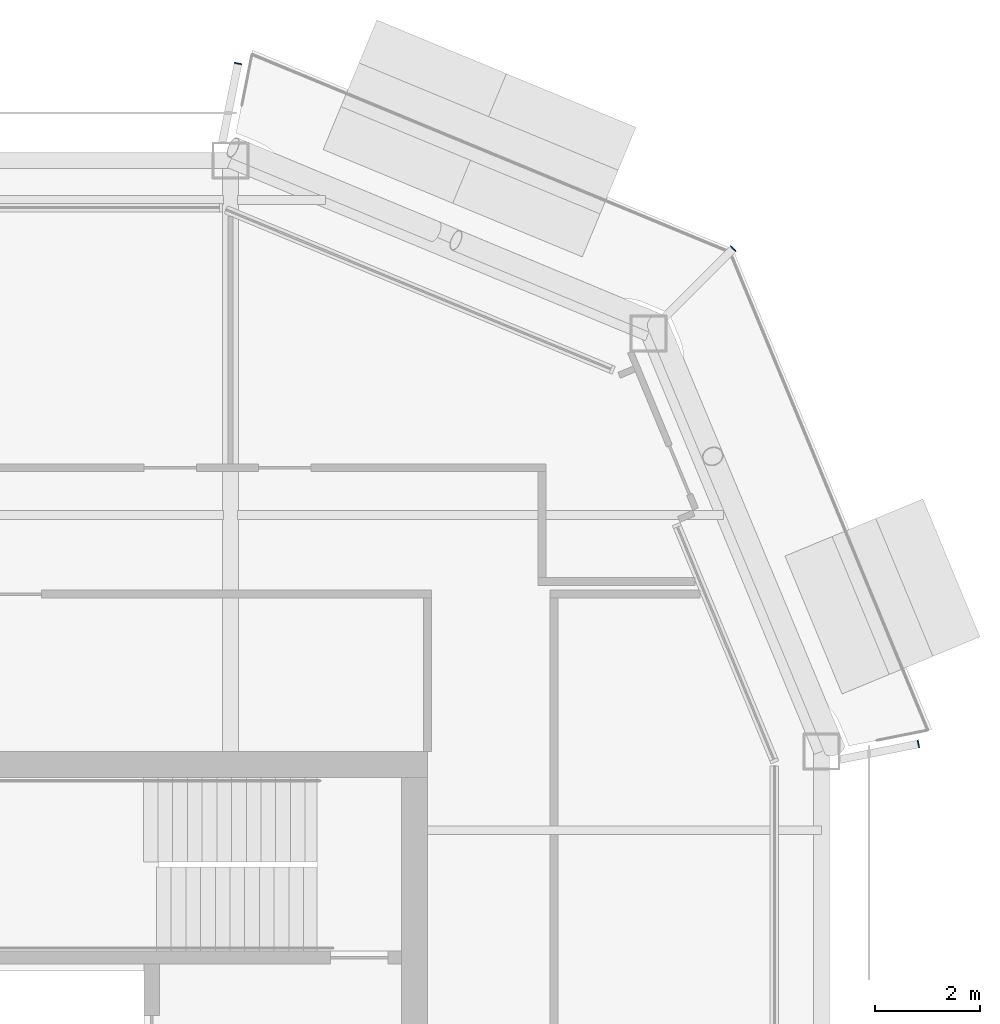
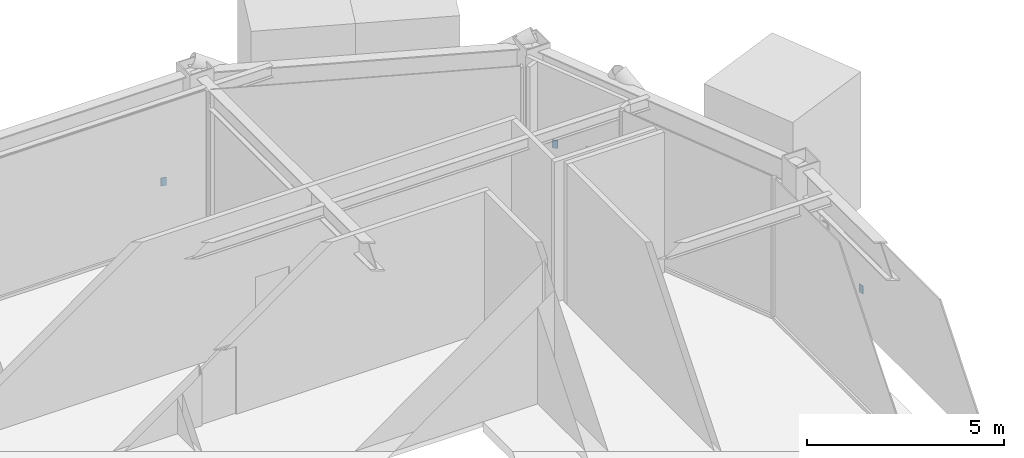
# One storey, part 16 of 21: 3 discrete accessories.
"""IFC4 building model written with IfcOpenShell, lengths in metres."""

import ifcopenshell
import ifcopenshell.guid

model = None  # the IFC model being written
_history = None  # IfcOwnerHistory: only IFC2X3 demands one
_inside = {}  # id of a spatial element -> (the spatial element, [elements in it])
_under = {}  # id of a project, library or spatial element -> (it, [spatial elements below it])
_declared = {}  # id of a project -> (the project, [libraries it declares])
_typed = {}  # id of a type object -> (the type object, [elements of that type])
_made_of = {}  # id of a material, layer set ... -> (it, [elements and type objects made of it])


def new_model(schema):
    """Start an empty IFC model of exactly this schema.

    Asked for "IFC4X3", IfcOpenShell would pick the latest addendum, in which some entities
    have other attributes; the version numbers below select the first issue.
    IFC2X3 requires an IfcOwnerHistory on every rooted entity: one is made here for all.
    """
    global model, _history
    if schema == "IFC4X3":
        model = ifcopenshell.file(schema_version=(4, 3, 0, 0))
    else:
        model = ifcopenshell.file(schema=schema)
    _inside.clear()
    _under.clear()
    _declared.clear()
    _typed.clear()
    _made_of.clear()
    _history = None
    if model.schema == "IFC2X3":
        org = make("IfcOrganization", Name="unknown")
        user = make(
            "IfcPersonAndOrganization",
            ThePerson=make("IfcPerson", FamilyName="unknown"),
            TheOrganization=org,
        )
        app = make(
            "IfcApplication",
            ApplicationDeveloper=org,
            Version="unknown",
            ApplicationFullName="unknown",
            ApplicationIdentifier="unknown",
        )
        _history = make(
            "IfcOwnerHistory",
            OwningUser=user,
            OwningApplication=app,
            ChangeAction="ADDED",
            CreationDate=0,
        )
    return model


def make(cls, **values):
    """One entity of the class cls with the attributes given. An attribute that is None is left unset."""
    return model.create_entity(
        cls, **{name: value for name, value in values.items() if value is not None}
    )


def rooted(cls, **values):
    """An entity with a GlobalId (a new one), such as an element, a storey or a relation."""
    return make(cls, GlobalId=ifcopenshell.guid.new(), OwnerHistory=_history, **values)


def si_unit(unit_type, name, prefix=None):
    """IfcSIUnit, for example si_unit("LENGTHUNIT", "METRE", prefix="MILLI")."""
    return make("IfcSIUnit", UnitType=unit_type, Prefix=prefix, Name=name)


def assignment(units):
    """IfcUnitAssignment: the units of a project."""
    return None if units is None else make("IfcUnitAssignment", Units=units)


def point(xyz):
    """IfcCartesianPoint."""
    return None if xyz is None else make("IfcCartesianPoint", Coordinates=xyz)


def direction(xyz):
    """IfcDirection."""
    return None if xyz is None else make("IfcDirection", DirectionRatios=xyz)


def frame(location, z_axis=None, x_axis=None):
    """IfcAxis2Placement3D, a coordinate frame: its origin and axes. An axis left out is left unset."""
    return make(
        "IfcAxis2Placement3D",
        Location=point(location),
        Axis=direction(z_axis),
        RefDirection=direction(x_axis),
    )


def frame_2d(location, x_axis=None):
    """IfcAxis2Placement2D, a coordinate frame in the plane: its origin and x axis."""
    return make(
        "IfcAxis2Placement2D", Location=point(location), RefDirection=direction(x_axis)
    )


def origin():
    """The frame at (0, 0, 0) with its axes left unset."""
    return frame((0.0, 0.0, 0.0))


def origin_2d():
    """The frame at (0, 0) in the plane with its x axis left unset."""
    return frame_2d((0.0, 0.0))


def place(relative_to, where):
    """IfcLocalPlacement: puts the frame where relative to a parent placement (None: the world)."""
    return make(
        "IfcLocalPlacement", PlacementRelTo=relative_to, RelativePlacement=where
    )


def context(
    kind, dimensions, precision=None, world=None, true_north=None, identifier=None
):
    """IfcGeometricRepresentationContext, for example the 3D "Model" context."""
    return make(
        "IfcGeometricRepresentationContext",
        ContextIdentifier=identifier,
        ContextType=kind,
        CoordinateSpaceDimension=dimensions,
        Precision=precision,
        WorldCoordinateSystem=world,
        TrueNorth=true_north,
    )


def subcontext(parent, identifier, kind, view, scale=None):
    """IfcGeometricRepresentationSubContext, for example "Body" below "Model"."""
    return make(
        "IfcGeometricRepresentationSubContext",
        ContextIdentifier=identifier,
        ContextType=kind,
        ParentContext=parent,
        TargetScale=scale,
        TargetView=view,
    )


def project(units=None, contexts=None):
    """IfcProject with its units and contexts."""
    return rooted(
        "IfcProject",
        Name="project",
        RepresentationContexts=contexts,
        UnitsInContext=assignment(units),
    )


def spatial(cls, under=None, at=None, **own):
    """A site, building, storey or space (cls), placed at a placement, below another one or the project."""
    s = rooted(cls, ObjectPlacement=at, **own)
    if under is not None:
        _under.setdefault(under.id(), (under, []))[1].append(s)
    return s


def profile(cls, at=None, kind="AREA", **sizes):
    """A parametric profile (cls). Its sizes go by their IFC names, for example OverallWidth=200.0."""
    return make(cls, ProfileType=kind, Position=at, **sizes)


def rectangle(**sizes):
    """IfcRectangleProfileDef."""
    return profile("IfcRectangleProfileDef", **sizes)


def extrude(swept, where, along, depth):
    """IfcExtrudedAreaSolid: the profile swept, set in the frame where, extruded along a direction by depth."""
    return make(
        "IfcExtrudedAreaSolid",
        SweptArea=swept,
        Position=where,
        ExtrudedDirection=direction(along),
        Depth=depth,
    )


def shape(context_of_items, identifier, shape_type, items):
    """IfcShapeRepresentation: the items that make up one representation, for example the "Body"."""
    return make(
        "IfcShapeRepresentation",
        ContextOfItems=context_of_items,
        RepresentationIdentifier=identifier,
        RepresentationType=shape_type,
        Items=items,
    )


def material(Name=None, Category=None):
    """IfcMaterial."""
    return make("IfcMaterial", Name=Name, Category=Category)


def layer(
    of_material, thickness, ventilated=None, Name=None, Category=None, Priority=None
):
    """IfcMaterialLayer: one layer of a wall or slab, of a material (None: an air gap)."""
    return make(
        "IfcMaterialLayer",
        Material=of_material,
        LayerThickness=thickness,
        IsVentilated=ventilated,
        Name=Name,
        Category=Category,
        Priority=Priority,
    )


def layer_set(layers, Name=None):
    """IfcMaterialLayerSet."""
    return make("IfcMaterialLayerSet", MaterialLayers=layers, LayerSetName=Name)


def made_of(thing, what):
    """Note that an element or type object is made of a material, layer set ...; save() writes the relation."""
    if what is not None:
        _made_of.setdefault(what.id(), (what, []))[1].append(thing)
    return thing


def type_object(cls, material=None, **own):
    """A type object (cls), such as IfcWallType, which elements share."""
    return made_of(rooted(cls, **own), material)


def element(
    cls,
    number,
    at=None,
    inside=None,
    cuts=None,
    type_object=None,
    material=None,
    context=None,
    identifier="Body",
    shape_type=None,
    held_by="IfcProductDefinitionShape",
    body=None,
    shapes=None,
    **own,
):
    """One element of the class cls, such as IfcWall. Its Tag is "e" and its number.

    at: its placement. inside: the storey or other place that contains it. cuts: it is an
    opening in that element (IfcRelVoidsElement). A single representation is given by context,
    identifier, shape_type and body (its items); several are given by shapes. held_by: the class
    of the entity that holds the representations. save() writes the other relations.
    """
    e = rooted(cls, Tag="e%d" % number, ObjectPlacement=at, **own)
    if body is not None:
        shapes = [shape(context, identifier, shape_type, body)]
    if shapes is not None:
        e.Representation = make(held_by, Representations=shapes)
    if inside is not None:
        _inside.setdefault(inside.id(), (inside, []))[1].append(e)
    if cuts is not None:
        rooted(
            "IfcRelVoidsElement", RelatingBuildingElement=cuts, RelatedOpeningElement=e
        )
    if type_object is not None:
        _typed.setdefault(type_object.id(), (type_object, []))[1].append(e)
    return made_of(e, material)


def aggregate(whole, parts):
    """IfcRelAggregates: a whole, such as a stair, and the parts it consists of."""
    return rooted("IfcRelAggregates", RelatingObject=whole, RelatedObjects=parts)


def save(model, path):
    """Write the relations noted so far, then the file.

    IfcRelAggregates (storeys below a building ...), IfcRelContainedInSpatialStructure (elements
    in a storey), IfcRelDefinesByType, IfcRelAssociatesMaterial and IfcRelDeclares: one each for
    every whole, place, type object, material and project.
    """
    for whole, parts in _under.values():
        aggregate(whole, parts)
    for where, things in _inside.values():
        rooted(
            "IfcRelContainedInSpatialStructure",
            RelatedElements=things,
            RelatingStructure=where,
        )
    for kind, things in _typed.values():
        rooted("IfcRelDefinesByType", RelatedObjects=things, RelatingType=kind)
    for what, things in _made_of.values():
        rooted("IfcRelAssociatesMaterial", RelatedObjects=things, RelatingMaterial=what)
    for by, libraries in _declared.values():
        rooted("IfcRelDeclares", RelatingContext=by, RelatedDefinitions=libraries)
    model.write(path)


model = new_model("IFC4")

# Units and contexts
model_context = context("Model", 3, precision=1e-05, world=origin(), true_north=direction((0.0, 1.0)))
body_context = subcontext(model_context, "Body", "Model", "MODEL_VIEW")
ifc_project = project(units=[si_unit("LENGTHUNIT", "METRE"), si_unit("AREAUNIT", "SQUARE_METRE"), si_unit("VOLUMEUNIT", "CUBIC_METRE"), si_unit("PLANEANGLEUNIT", "RADIAN"), si_unit("MASSUNIT", "GRAM", prefix="KILO")], contexts=[model_context])

# Site, building, storey
site_placement = place(None, origin())
site = spatial("IfcSite", under=ifc_project, at=site_placement, CompositionType="ELEMENT")
building_placement = place(site_placement, origin())
building = spatial("IfcBuilding", under=site, at=building_placement, Name="Siwar Civic Tower", CompositionType="ELEMENT")
storey_placement = place(building_placement, frame((0.0, 0.0, 325.699951171875)))
storey = spatial("IfcBuildingStorey", under=building, at=storey_placement, Name="L70", CompositionType="ELEMENT", Elevation=325.699951171875)

# Discrete accessories
ifc_material = material(Name="Steel S355", Category="steel")
ifc_layer = layer(ifc_material, 0.02001953125)
ifc_layer_set = layer_set([ifc_layer], Name="Steel S355")
discrete_accessory_type = type_object("IfcDiscreteAccessoryType", Name="STR-END-CAP", PredefinedType="USERDEFINED", material=ifc_layer_set)
for number, where, z_axis, x_axis, name in (
    (1, (26.5947265625, 13.642578125, -0.39990234375), (0.0, 0.0, 1.0), (0.980785280396, 0.19509032205, 0.0), "End cap plate Balcony cantilever beam NE 1"),
    (2, (23.0693359375, 23.0693359375, -0.39990234375), (0.0, 0.0, 1.0), (0.707106781187, 0.707106781187, 0.0), "End cap plate Balcony cantilever beam NE 2"),
    (3, (13.642578125, 26.5947265625, -0.39990234375), (0.0, 0.0, 1.0), (0.19509032205, 0.980785280396, 0.0), "End cap plate Balcony cantilever beam NE 3"),
):
    element("IfcDiscreteAccessory", number, at=place(storey_placement, frame(where, z_axis=z_axis, x_axis=x_axis)), inside=storey, type_object=discrete_accessory_type, Name=name, ObjectType="END CAP PLATE", PredefinedType="USERDEFINED", context=body_context, shape_type="SweptSolid", body=[
        extrude(rectangle(XDim=0.02001953125, YDim=0.14990234375, at=origin_2d()), origin(), (0.0, 0.0, 1.0), 0.25),
    ])

save(model, "model.ifc")
